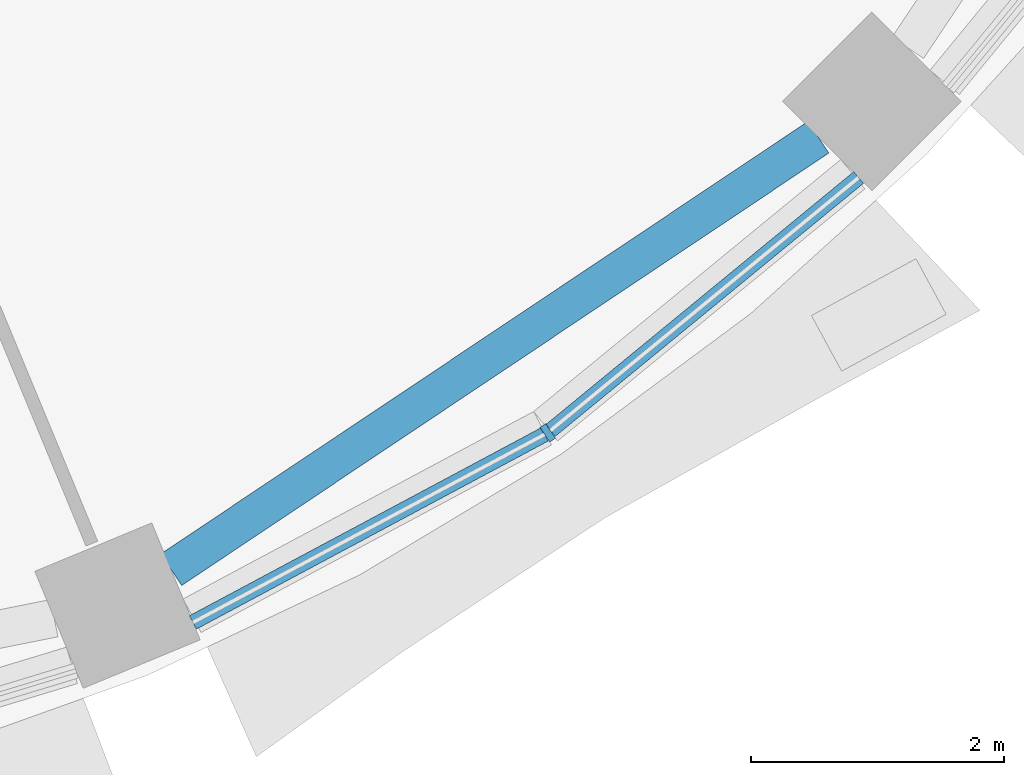
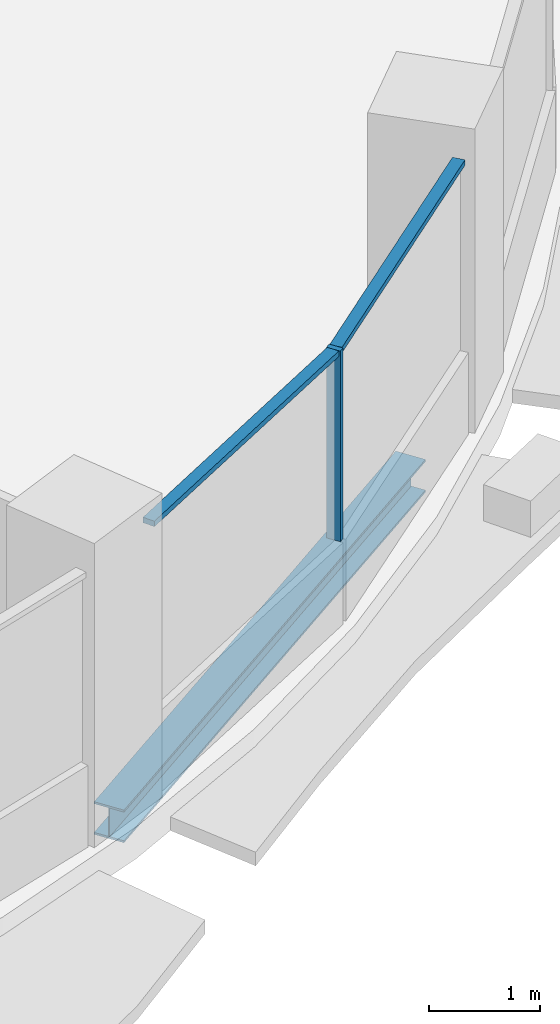
# One storey, part 3 of 15: 3 members, 1 beam, 1 element without a shape of its own.
"""IFC4 building model written with IfcOpenShell, lengths in metres."""

from ifc_helpers import new_model, si_unit, direction, frame, origin, origin_2d, place, context, subcontext, project, spatial, rectangle, i_section, extrude, material, material_profile, profile_set, type_object, element, aggregate, save


model = new_model("IFC4")

# Units and contexts
model_context = context("Model", 3, precision=1e-05, world=origin(), true_north=direction((0.0, 1.0)))
body_context = subcontext(model_context, "Body", "Model", "MODEL_VIEW")
ifc_project = project(units=[si_unit("LENGTHUNIT", "METRE"), si_unit("AREAUNIT", "SQUARE_METRE"), si_unit("VOLUMEUNIT", "CUBIC_METRE"), si_unit("PLANEANGLEUNIT", "RADIAN"), si_unit("MASSUNIT", "GRAM", prefix="KILO")], contexts=[model_context])

# Site, building, storey
site_placement = place(None, origin())
site = spatial("IfcSite", under=ifc_project, at=site_placement, CompositionType="ELEMENT")
building_placement = place(site_placement, origin())
building = spatial("IfcBuilding", under=site, at=building_placement, Name="Polderwave Tower", CompositionType="ELEMENT")
storey_placement = place(building_placement, frame((0.0, 0.0, 131.0)))
storey = spatial("IfcBuildingStorey", under=building, at=storey_placement, Name="L34", CompositionType="ELEMENT", Elevation=131.0)

# Curtain wall, members
ifc_material_1 = material(Name="Aluminium 6063-T6 and glass", Category="aluminium")
curtain_wall_type = type_object("IfcCurtainWallType", Name="Office ribbon glazing wall", PredefinedType="NOTDEFINED", material=ifc_material_1)
curtain_wall_placement = place(storey_placement, origin())
curtain_wall = element("IfcCurtainWall", 1, at=curtain_wall_placement, inside=storey, type_object=curtain_wall_type, Name="CW3 L34 13", PredefinedType="NOTDEFINED")
ifc_material_2 = material(Name="Aluminium 6063-T6", Category="aluminium")
ifc_material_profile_1 = material_profile(ifc_material_2, rectangle(XDim=0.139892578125, YDim=0.054931640625, at=origin_2d()), Name="AL 55x140")
ifc_profile_set_1 = profile_set([ifc_material_profile_1], Name="Aluminium 6063-T6")
member_type_1 = type_object("IfcMemberType", Name="Office ribbon glazing mullion 55x140", PredefinedType="MULLION", material=ifc_profile_set_1)
member_1_placement = place(storey_placement, frame((10.43408203125, -15.614990234375, 0.89990234375), z_axis=(0.0, 0.0, 1.0), x_axis=(-0.555657301267, 0.831411428565, 0.0)))
member_1 = element("IfcMember", 2, at=member_1_placement, type_object=member_type_1, Name="CW3 mullion 1", PredefinedType="MULLION", context=body_context, shape_type="SweptSolid", body=[
    extrude(rectangle(XDim=0.139892578125, YDim=0.054931640625, at=origin_2d()), origin(), (0.0, 0.0, 1.0), 2.10009765625),
])
ifc_material_profile_2 = material_profile(ifc_material_2, rectangle(XDim=0.1201171875, YDim=0.06005859375, at=origin_2d()), Name="AL 60x120")
ifc_profile_set_2 = profile_set([ifc_material_profile_2], Name="Aluminium 6063-T6")
member_type_2 = type_object("IfcMemberType", Name="Office ribbon glazing transom 60x120", PredefinedType="USERDEFINED", material=ifc_profile_set_2)
member_2_placement = place(storey_placement, frame((7.6298828125, -17.114013671875, 2.969970703125), z_axis=(0.88188725203, 0.471460363877, 0.0), x_axis=(-0.471460363877, 0.88188725203, 0.0)))
member_2 = element("IfcMember", 3, at=member_2_placement, type_object=member_type_2, Name="CW3 transom 1", ObjectType="TRANSOM", PredefinedType="USERDEFINED", context=body_context, shape_type="SweptSolid", body=[
    extrude(rectangle(XDim=0.1201171875, YDim=0.06005859375, at=origin_2d()), origin(), (0.0, 0.0, 1.0), 3.152099609375),
])
member_3_placement = place(storey_placement, frame((10.455322265625, -15.59765625, 2.969970703125), z_axis=(0.772893139863, 0.634536204131, 0.0), x_axis=(-0.634536204131, 0.772893139863, 0.0)))
member_3 = element("IfcMember", 4, at=member_3_placement, type_object=member_type_2, Name="CW3 transom 2", ObjectType="TRANSOM", PredefinedType="USERDEFINED", context=body_context, shape_type="SweptSolid", body=[
    extrude(rectangle(XDim=0.1201171875, YDim=0.06005859375, at=origin_2d()), origin(), (0.0, 0.0, 1.0), 3.151611328125),
])
aggregate(curtain_wall, [member_1, member_2, member_3])

# Beam
ifc_material_3 = material(Name="Steel S355", Category="steel")
ifc_material_profile_3 = material_profile(ifc_material_3, i_section(OverallWidth=0.300048828125, OverallDepth=0.360107421875, WebThickness=0.012451171875, FlangeThickness=0.0224609375, at=origin_2d()), Name="HE 360 B")
ifc_profile_set_3 = profile_set([ifc_material_profile_3], Name="Steel S355")
beam_type = type_object("IfcBeamType", Name="RING BEAM HE 360 B", PredefinedType="BEAM", material=ifc_profile_set_3)
beam_placement = place(storey_placement, frame((7.45751953125, -16.69775390625, -0.530029296875), z_axis=(0.831463724506, 0.555579044629, 0.0), x_axis=(-0.555579044629, 0.831463724506, 0.0)))
element("IfcBeam", 5, at=beam_placement, inside=storey, type_object=beam_type, Name="ST-RB-L34-13", PredefinedType="BEAM", context=body_context, shape_type="SweptSolid", body=[
    extrude(i_section(OverallWidth=0.300048828125, OverallDepth=0.360107421875, WebThickness=0.012451171875, FlangeThickness=0.0224609375, at=origin_2d()), origin(), (0.0, 0.0, 1.0), 6.152099609375),
])

save(model, "model.ifc")
